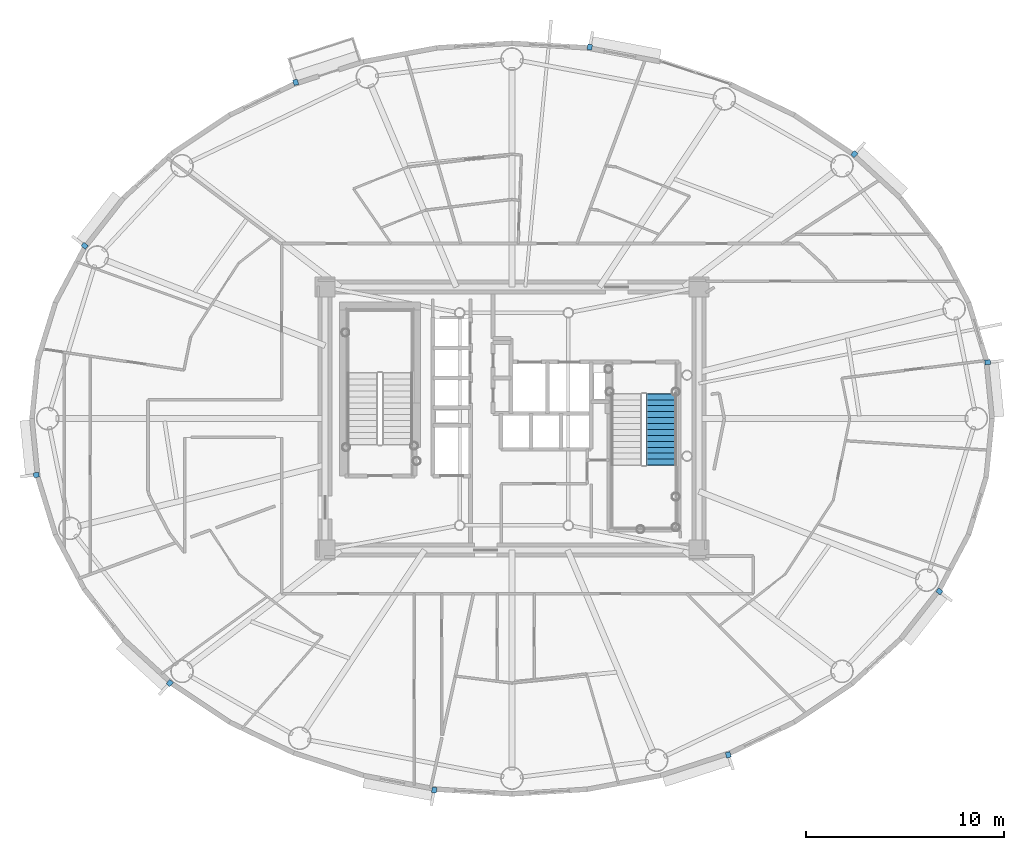
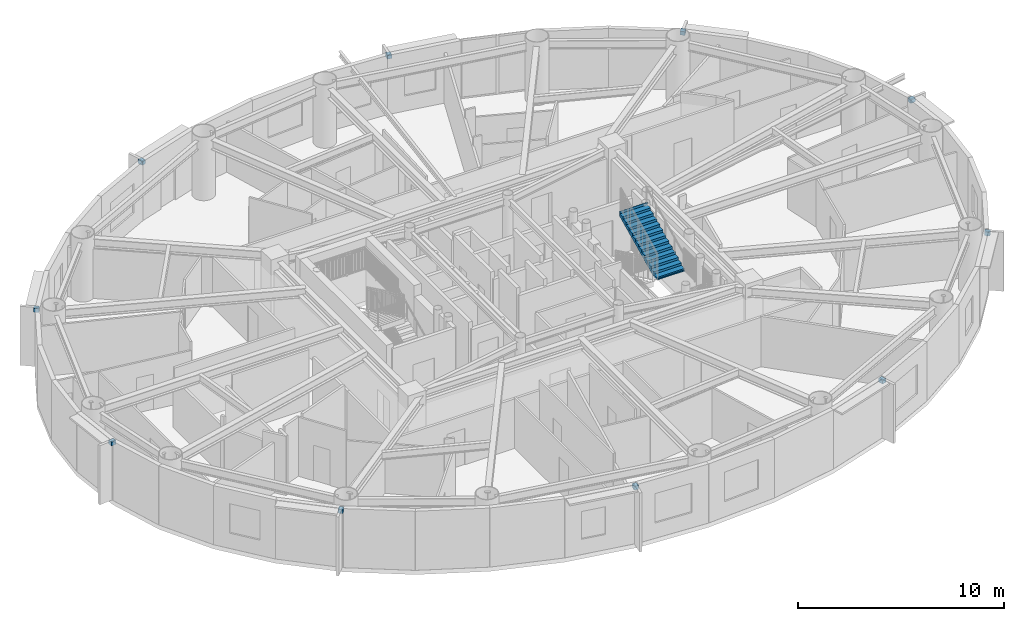
# One storey, part 12 of 19: 10 discrete accessories, 1 stair flight, 1 element without a shape of its own.
"""IFC4 building model written with IfcOpenShell, lengths in metres."""

import ifcopenshell
import ifcopenshell.guid

model = None  # the IFC model being written
_history = None  # IfcOwnerHistory: only IFC2X3 demands one
_inside = {}  # id of a spatial element -> (the spatial element, [elements in it])
_under = {}  # id of a project, library or spatial element -> (it, [spatial elements below it])
_declared = {}  # id of a project -> (the project, [libraries it declares])
_typed = {}  # id of a type object -> (the type object, [elements of that type])
_made_of = {}  # id of a material, layer set ... -> (it, [elements and type objects made of it])


def new_model(schema):
    """Start an empty IFC model of exactly this schema.

    Asked for "IFC4X3", IfcOpenShell would pick the latest addendum, in which some entities
    have other attributes; the version numbers below select the first issue.
    IFC2X3 requires an IfcOwnerHistory on every rooted entity: one is made here for all.
    """
    global model, _history
    if schema == "IFC4X3":
        model = ifcopenshell.file(schema_version=(4, 3, 0, 0))
    else:
        model = ifcopenshell.file(schema=schema)
    _inside.clear()
    _under.clear()
    _declared.clear()
    _typed.clear()
    _made_of.clear()
    _history = None
    if model.schema == "IFC2X3":
        org = make("IfcOrganization", Name="unknown")
        user = make(
            "IfcPersonAndOrganization",
            ThePerson=make("IfcPerson", FamilyName="unknown"),
            TheOrganization=org,
        )
        app = make(
            "IfcApplication",
            ApplicationDeveloper=org,
            Version="unknown",
            ApplicationFullName="unknown",
            ApplicationIdentifier="unknown",
        )
        _history = make(
            "IfcOwnerHistory",
            OwningUser=user,
            OwningApplication=app,
            ChangeAction="ADDED",
            CreationDate=0,
        )
    return model


def make(cls, **values):
    """One entity of the class cls with the attributes given. An attribute that is None is left unset."""
    return model.create_entity(
        cls, **{name: value for name, value in values.items() if value is not None}
    )


def rooted(cls, **values):
    """An entity with a GlobalId (a new one), such as an element, a storey or a relation."""
    return make(cls, GlobalId=ifcopenshell.guid.new(), OwnerHistory=_history, **values)


def si_unit(unit_type, name, prefix=None):
    """IfcSIUnit, for example si_unit("LENGTHUNIT", "METRE", prefix="MILLI")."""
    return make("IfcSIUnit", UnitType=unit_type, Prefix=prefix, Name=name)


def assignment(units):
    """IfcUnitAssignment: the units of a project."""
    return None if units is None else make("IfcUnitAssignment", Units=units)


def point(xyz):
    """IfcCartesianPoint."""
    return None if xyz is None else make("IfcCartesianPoint", Coordinates=xyz)


def direction(xyz):
    """IfcDirection."""
    return None if xyz is None else make("IfcDirection", DirectionRatios=xyz)


def frame(location, z_axis=None, x_axis=None):
    """IfcAxis2Placement3D, a coordinate frame: its origin and axes. An axis left out is left unset."""
    return make(
        "IfcAxis2Placement3D",
        Location=point(location),
        Axis=direction(z_axis),
        RefDirection=direction(x_axis),
    )


def frame_2d(location, x_axis=None):
    """IfcAxis2Placement2D, a coordinate frame in the plane: its origin and x axis."""
    return make(
        "IfcAxis2Placement2D", Location=point(location), RefDirection=direction(x_axis)
    )


def origin():
    """The frame at (0, 0, 0) with its axes left unset."""
    return frame((0.0, 0.0, 0.0))


def origin_2d():
    """The frame at (0, 0) in the plane with its x axis left unset."""
    return frame_2d((0.0, 0.0))


def place(relative_to, where):
    """IfcLocalPlacement: puts the frame where relative to a parent placement (None: the world)."""
    return make(
        "IfcLocalPlacement", PlacementRelTo=relative_to, RelativePlacement=where
    )


def context(
    kind, dimensions, precision=None, world=None, true_north=None, identifier=None
):
    """IfcGeometricRepresentationContext, for example the 3D "Model" context."""
    return make(
        "IfcGeometricRepresentationContext",
        ContextIdentifier=identifier,
        ContextType=kind,
        CoordinateSpaceDimension=dimensions,
        Precision=precision,
        WorldCoordinateSystem=world,
        TrueNorth=true_north,
    )


def subcontext(parent, identifier, kind, view, scale=None):
    """IfcGeometricRepresentationSubContext, for example "Body" below "Model"."""
    return make(
        "IfcGeometricRepresentationSubContext",
        ContextIdentifier=identifier,
        ContextType=kind,
        ParentContext=parent,
        TargetScale=scale,
        TargetView=view,
    )


def project(units=None, contexts=None):
    """IfcProject with its units and contexts."""
    return rooted(
        "IfcProject",
        Name="project",
        RepresentationContexts=contexts,
        UnitsInContext=assignment(units),
    )


def spatial(cls, under=None, at=None, **own):
    """A site, building, storey or space (cls), placed at a placement, below another one or the project."""
    s = rooted(cls, ObjectPlacement=at, **own)
    if under is not None:
        _under.setdefault(under.id(), (under, []))[1].append(s)
    return s


def polyline(points):
    """IfcPolyline through the points."""
    return make("IfcPolyline", Points=[point(p) for p in points])


def profile(cls, at=None, kind="AREA", **sizes):
    """A parametric profile (cls). Its sizes go by their IFC names, for example OverallWidth=200.0."""
    return make(cls, ProfileType=kind, Position=at, **sizes)


def rectangle(**sizes):
    """IfcRectangleProfileDef."""
    return profile("IfcRectangleProfileDef", **sizes)


def outline(outer, holes=None, kind="AREA"):
    """IfcArbitraryClosedProfileDef: a profile drawn as a closed curve; with holes, ...WithVoids."""
    if holes is None:
        return make("IfcArbitraryClosedProfileDef", ProfileType=kind, OuterCurve=outer)
    return make(
        "IfcArbitraryProfileDefWithVoids",
        ProfileType=kind,
        OuterCurve=outer,
        InnerCurves=holes,
    )


def extrude(swept, where, along, depth):
    """IfcExtrudedAreaSolid: the profile swept, set in the frame where, extruded along a direction by depth."""
    return make(
        "IfcExtrudedAreaSolid",
        SweptArea=swept,
        Position=where,
        ExtrudedDirection=direction(along),
        Depth=depth,
    )


def shape(context_of_items, identifier, shape_type, items):
    """IfcShapeRepresentation: the items that make up one representation, for example the "Body"."""
    return make(
        "IfcShapeRepresentation",
        ContextOfItems=context_of_items,
        RepresentationIdentifier=identifier,
        RepresentationType=shape_type,
        Items=items,
    )


def source(mapping_origin, context_of_items, identifier, shape_type, items):
    """IfcRepresentationMap: a shape defined once, which mapped items show again and again."""
    return make(
        "IfcRepresentationMap",
        MappingOrigin=mapping_origin,
        MappedRepresentation=shape(context_of_items, identifier, shape_type, items),
    )


def transform(
    local_origin,
    x_axis=None,
    y_axis=None,
    z_axis=None,
    scale=None,
    scale2=None,
    scale3=None,
    uniform=True,
):
    """IfcCartesianTransformationOperator3D, or its non-uniform kind. x_axis, y_axis, z_axis: its Axis1, 2, 3."""
    if uniform:
        return make(
            "IfcCartesianTransformationOperator3D",
            Axis1=direction(x_axis),
            Axis2=direction(y_axis),
            LocalOrigin=point(local_origin),
            Scale=scale,
            Axis3=direction(z_axis),
        )
    return make(
        "IfcCartesianTransformationOperator3DnonUniform",
        Axis1=direction(x_axis),
        Axis2=direction(y_axis),
        LocalOrigin=point(local_origin),
        Scale=scale,
        Axis3=direction(z_axis),
        Scale2=scale2,
        Scale3=scale3,
    )


def mapped(mapping_source, mapping_target):
    """IfcMappedItem: shows the shape of a source again, moved by a transform."""
    return make(
        "IfcMappedItem", MappingSource=mapping_source, MappingTarget=mapping_target
    )


def material(Name=None, Category=None):
    """IfcMaterial."""
    return make("IfcMaterial", Name=Name, Category=Category)


def made_of(thing, what):
    """Note that an element or type object is made of a material, layer set ...; save() writes the relation."""
    if what is not None:
        _made_of.setdefault(what.id(), (what, []))[1].append(thing)
    return thing


def type_object(cls, material=None, **own):
    """A type object (cls), such as IfcWallType, which elements share."""
    return made_of(rooted(cls, **own), material)


def element(
    cls,
    number,
    at=None,
    inside=None,
    cuts=None,
    type_object=None,
    material=None,
    context=None,
    identifier="Body",
    shape_type=None,
    held_by="IfcProductDefinitionShape",
    body=None,
    shapes=None,
    **own,
):
    """One element of the class cls, such as IfcWall. Its Tag is "e" and its number.

    at: its placement. inside: the storey or other place that contains it. cuts: it is an
    opening in that element (IfcRelVoidsElement). A single representation is given by context,
    identifier, shape_type and body (its items); several are given by shapes. held_by: the class
    of the entity that holds the representations. save() writes the other relations.
    """
    e = rooted(cls, Tag="e%d" % number, ObjectPlacement=at, **own)
    if body is not None:
        shapes = [shape(context, identifier, shape_type, body)]
    if shapes is not None:
        e.Representation = make(held_by, Representations=shapes)
    if inside is not None:
        _inside.setdefault(inside.id(), (inside, []))[1].append(e)
    if cuts is not None:
        rooted(
            "IfcRelVoidsElement", RelatingBuildingElement=cuts, RelatedOpeningElement=e
        )
    if type_object is not None:
        _typed.setdefault(type_object.id(), (type_object, []))[1].append(e)
    return made_of(e, material)


def aggregate(whole, parts):
    """IfcRelAggregates: a whole, such as a stair, and the parts it consists of."""
    return rooted("IfcRelAggregates", RelatingObject=whole, RelatedObjects=parts)


def save(model, path):
    """Write the relations noted so far, then the file.

    IfcRelAggregates (storeys below a building ...), IfcRelContainedInSpatialStructure (elements
    in a storey), IfcRelDefinesByType, IfcRelAssociatesMaterial and IfcRelDeclares: one each for
    every whole, place, type object, material and project.
    """
    for whole, parts in _under.values():
        aggregate(whole, parts)
    for where, things in _inside.values():
        rooted(
            "IfcRelContainedInSpatialStructure",
            RelatedElements=things,
            RelatingStructure=where,
        )
    for kind, things in _typed.values():
        rooted("IfcRelDefinesByType", RelatedObjects=things, RelatingType=kind)
    for what, things in _made_of.values():
        rooted("IfcRelAssociatesMaterial", RelatedObjects=things, RelatingMaterial=what)
    for by, libraries in _declared.values():
        rooted("IfcRelDeclares", RelatingContext=by, RelatedDefinitions=libraries)
    model.write(path)


model = new_model("IFC4")

# Units and contexts
model_context = context("Model", 3, precision=1e-05, world=origin(), true_north=direction((0.0, 1.0)))
body_context = subcontext(model_context, "Body", "Model", "MODEL_VIEW")
ifc_project = project(units=[si_unit("LENGTHUNIT", "METRE"), si_unit("AREAUNIT", "SQUARE_METRE"), si_unit("VOLUMEUNIT", "CUBIC_METRE"), si_unit("PLANEANGLEUNIT", "RADIAN"), si_unit("MASSUNIT", "GRAM", prefix="KILO")], contexts=[model_context])

# Site, building, storey
site_placement = place(None, origin())
site = spatial("IfcSite", under=ifc_project, at=site_placement, CompositionType="ELEMENT")
building_placement = place(site_placement, origin())
building = spatial("IfcBuilding", under=site, at=building_placement, Name="Linh Dai School and Residence Tower", CompositionType="ELEMENT")
storey_placement = place(building_placement, frame((0.0, 0.0, 217.800048828125)))
storey = spatial("IfcBuildingStorey", under=building, at=storey_placement, Name="L53", CompositionType="ELEMENT", Elevation=217.800048828125)

# Stair, stair flight
ifc_material_1 = material(Name="Concrete B45 (C35/45)", Category="concrete")
stair_type = type_object("IfcStairType", Name="ST-DOG-1550-R1442", PredefinedType="HALF_TURN_STAIR", material=ifc_material_1)
stair_placement = place(storey_placement, origin())
stair = element("IfcStair", 1, at=stair_placement, inside=storey, type_object=stair_type, Name="L53 Core Smokeproof Exit Stair ST2", PredefinedType="HALF_TURN_STAIR")
stair_flight_type = type_object("IfcStairFlightType", Name="STF-STR-1550-R1442", PredefinedType="STRAIGHT", material=ifc_material_1)
shared_shape_1 = source(origin(), body_context, "Body", "SweptSolid", [
    extrude(outline(polyline([(-0.02490234375, 0.0), (-0.02490234375, 0.06005859375), (0.0, 0.06005859375), (0.0, 0.144287109375), (0.300048828125, 0.144287109375), (0.300048828125, 0.28857421875), (0.60009765625, 0.28857421875), (0.60009765625, 0.4326171875), (0.89990234375, 0.4326171875), (0.89990234375, 0.576904296875), (1.199951171875, 0.576904296875), (1.199951171875, 0.72119140625), (1.5, 0.72119140625), (1.5, 0.865478515625), (1.800048828125, 0.865478515625), (1.800048828125, 1.009521484375), (2.10009765625, 1.009521484375), (2.10009765625, 1.15380859375), (2.39990234375, 1.15380859375), (2.39990234375, 1.298095703125), (2.699951171875, 1.298095703125), (2.699951171875, 1.4423828125), (3.0, 1.4423828125), (3.0, 1.58642578125), (3.300048828125, 1.58642578125), (3.300048828125, 1.730712890625), (3.60009765625, 1.730712890625), (3.60009765625, 1.875), (3.625, 1.875), (3.625, 1.564453125), (3.60009765625, 1.564453125), (0.345947265625, 0.0), (-0.02490234375, 0.0)])), frame((0.0, 0.77490234375, 0.0), z_axis=(0.0, -1.0, 0.0), x_axis=(1.0, 0.0, 0.0)), (0.0, 0.0, 1.0), 1.550048828125),
])
stair_flight_placement = place(storey_placement, frame((43.544921875, 24.64990234375, 1.875), z_axis=(0.0, 0.0, 1.0), x_axis=(0.0, 1.0, 0.0)))
stair_flight = element("IfcStairFlight", 2, at=stair_flight_placement, type_object=stair_flight_type, Name="ST2 flight 2", NumberOfRisers=13, NumberOfTreads=12, PredefinedType="STRAIGHT", RiserHeight=0.144230769, TreadLength=0.3, context=body_context, shape_type="MappedRepresentation", body=[
    mapped(shared_shape_1, transform((0.0, 0.0, 0.0), x_axis=(1.0, 0.0, 0.0), y_axis=(0.0, 1.0, 0.0), z_axis=(0.0, 0.0, 1.0), scale=1.0)),
])
aggregate(stair, [stair_flight])

# Discrete accessories
ifc_material_2 = material(Name="Structural Steel S355JR", Category="steel")
discrete_accessory_type = type_object("IfcDiscreteAccessoryType", Name="ACC-BRK-S355", PredefinedType="BRACKET", material=ifc_material_2)
shared_shape_2 = source(origin(), body_context, "Body", "SweptSolid", [
    extrude(rectangle(XDim=0.280029296875, YDim=0.239990234375, at=origin_2d()), origin(), (0.0, 0.0, 1.0), 0.219970703125),
])
for number, where, z_axis, x_axis, name in (
    (3, (60.048828125, 29.8505859375, 3.25), (0.0, 0.0, 1.0), (0.99498620644, 0.100012244219, 0.0), "L53 Facade Frame Anchor Bracket 01"),
    (4, (53.305419921875, 40.3740234375, 3.25), (0.0, 0.0, 1.0), (0.675757574408, 0.737123938446, 0.0), "L53 Facade Frame Anchor Bracket 05"),
    (5, (39.9306640625, 45.782470703125, 3.25), (0.0, 0.0, 1.0), (0.18474448537, 0.982786586765, 0.0), "L53 Facade Frame Anchor Bracket 09"),
    (6, (25.064697265625, 44.000732421875, 3.25), (0.0, 0.0, 1.0), (-0.308501065272, 0.951223997135, 0.0), "L53 Facade Frame Anchor Bracket 13"),
    (7, (14.390869140625, 35.73681640625, 3.25), (0.0, 0.0, 1.0), (-0.787486677066, 0.616331674867, 0.0), "L53 Facade Frame Anchor Bracket 17"),
    (8, (11.951171875, 24.1494140625, 3.25), (0.0, 0.0, 1.0), (-0.99498620644, -0.100012244219, 0.0), "L53 Facade Frame Anchor Bracket 21"),
    (9, (18.694580078125, 13.6259765625, 3.25), (0.0, 0.0, 1.0), (-0.675756089102, -0.737125300096, 0.0), "L53 Facade Frame Anchor Bracket 25"),
    (10, (32.0693359375, 8.217529296875, 3.25), (0.0, 0.0, 1.0), (-0.18474448537, -0.982786586765, 0.0), "L53 Facade Frame Anchor Bracket 29"),
    (11, (46.935302734375, 9.999267578125, 3.25), (0.0, 0.0, 1.0), (0.308501065272, -0.951223997135, 0.0), "L53 Facade Frame Anchor Bracket 33"),
    (12, (57.609130859375, 18.26318359375, 3.25), (0.0, 0.0, 1.0), (0.787485171888, -0.616333598027, 0.0), "L53 Facade Frame Anchor Bracket 37"),
):
    element("IfcDiscreteAccessory", number, at=place(storey_placement, frame(where, z_axis=z_axis, x_axis=x_axis)), inside=storey, type_object=discrete_accessory_type, Name=name, PredefinedType="BRACKET", context=body_context, shape_type="MappedRepresentation", body=[
        mapped(shared_shape_2, transform((0.0, 0.0, 0.0), x_axis=(1.0, 0.0, 0.0), y_axis=(0.0, 1.0, 0.0), z_axis=(0.0, 0.0, 1.0), scale=1.0)),
    ])

save(model, "model.ifc")
